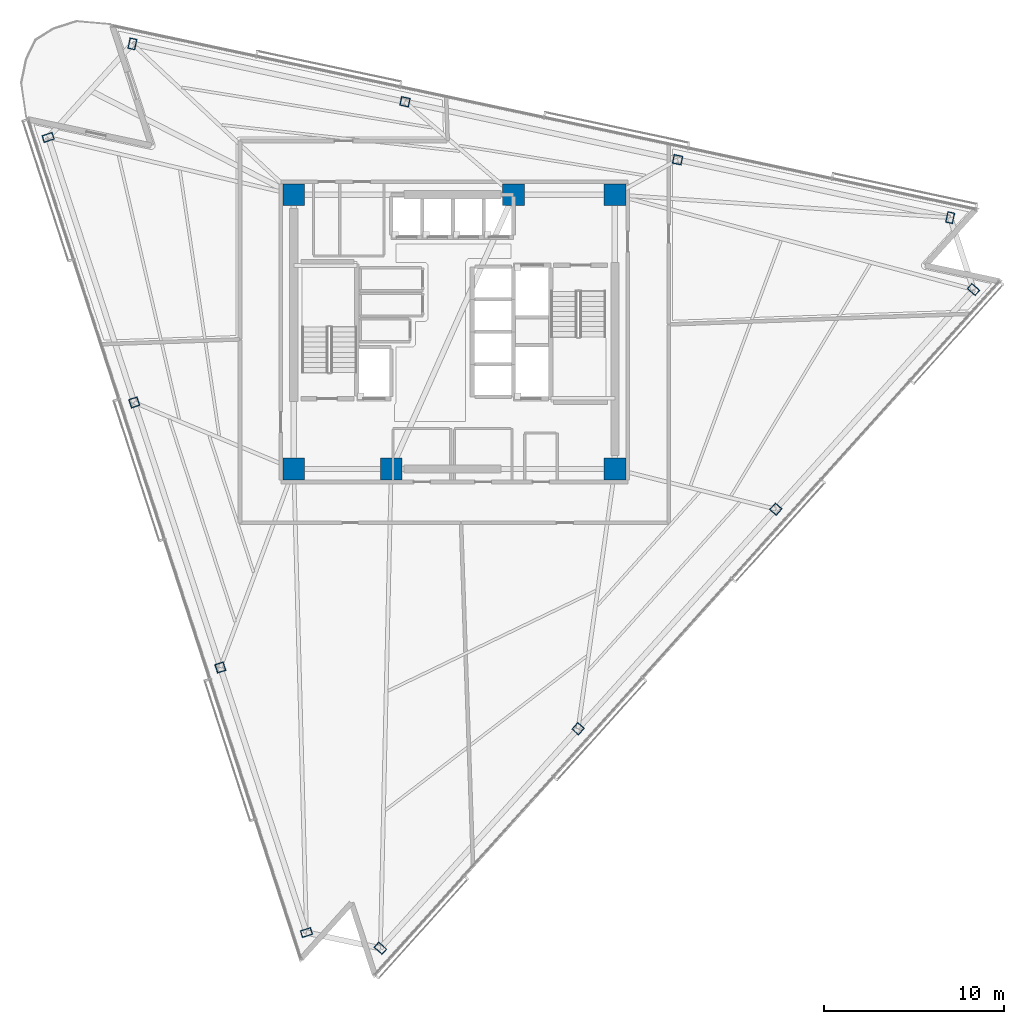
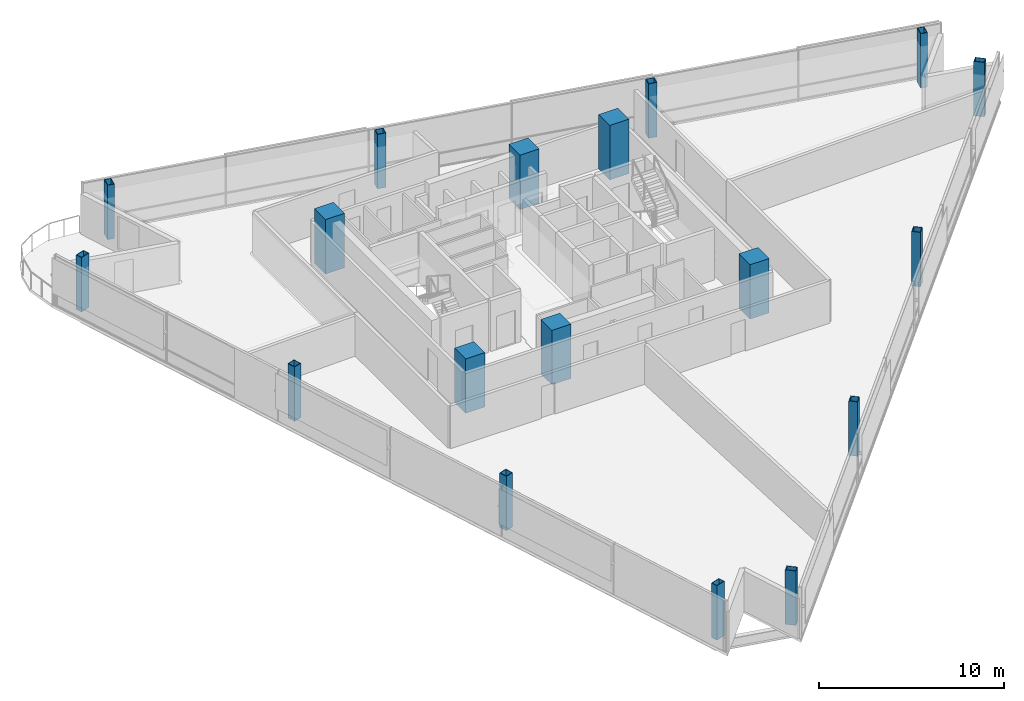
# One storey, part 1 of 17: 18 columns.
"""IFC4 building model written with IfcOpenShell, lengths in metres."""

import ifcopenshell
import ifcopenshell.guid

model = None  # the IFC model being written
_history = None  # IfcOwnerHistory: only IFC2X3 demands one
_inside = {}  # id of a spatial element -> (the spatial element, [elements in it])
_under = {}  # id of a project, library or spatial element -> (it, [spatial elements below it])
_declared = {}  # id of a project -> (the project, [libraries it declares])
_typed = {}  # id of a type object -> (the type object, [elements of that type])
_made_of = {}  # id of a material, layer set ... -> (it, [elements and type objects made of it])


def new_model(schema):
    """Start an empty IFC model of exactly this schema.

    Asked for "IFC4X3", IfcOpenShell would pick the latest addendum, in which some entities
    have other attributes; the version numbers below select the first issue.
    IFC2X3 requires an IfcOwnerHistory on every rooted entity: one is made here for all.
    """
    global model, _history
    if schema == "IFC4X3":
        model = ifcopenshell.file(schema_version=(4, 3, 0, 0))
    else:
        model = ifcopenshell.file(schema=schema)
    _inside.clear()
    _under.clear()
    _declared.clear()
    _typed.clear()
    _made_of.clear()
    _history = None
    if model.schema == "IFC2X3":
        org = make("IfcOrganization", Name="unknown")
        user = make(
            "IfcPersonAndOrganization",
            ThePerson=make("IfcPerson", FamilyName="unknown"),
            TheOrganization=org,
        )
        app = make(
            "IfcApplication",
            ApplicationDeveloper=org,
            Version="unknown",
            ApplicationFullName="unknown",
            ApplicationIdentifier="unknown",
        )
        _history = make(
            "IfcOwnerHistory",
            OwningUser=user,
            OwningApplication=app,
            ChangeAction="ADDED",
            CreationDate=0,
        )
    return model


def make(cls, **values):
    """One entity of the class cls with the attributes given. An attribute that is None is left unset."""
    return model.create_entity(
        cls, **{name: value for name, value in values.items() if value is not None}
    )


def rooted(cls, **values):
    """An entity with a GlobalId (a new one), such as an element, a storey or a relation."""
    return make(cls, GlobalId=ifcopenshell.guid.new(), OwnerHistory=_history, **values)


def si_unit(unit_type, name, prefix=None):
    """IfcSIUnit, for example si_unit("LENGTHUNIT", "METRE", prefix="MILLI")."""
    return make("IfcSIUnit", UnitType=unit_type, Prefix=prefix, Name=name)


def assignment(units):
    """IfcUnitAssignment: the units of a project."""
    return None if units is None else make("IfcUnitAssignment", Units=units)


def point(xyz):
    """IfcCartesianPoint."""
    return None if xyz is None else make("IfcCartesianPoint", Coordinates=xyz)


def direction(xyz):
    """IfcDirection."""
    return None if xyz is None else make("IfcDirection", DirectionRatios=xyz)


def frame(location, z_axis=None, x_axis=None):
    """IfcAxis2Placement3D, a coordinate frame: its origin and axes. An axis left out is left unset."""
    return make(
        "IfcAxis2Placement3D",
        Location=point(location),
        Axis=direction(z_axis),
        RefDirection=direction(x_axis),
    )


def frame_2d(location, x_axis=None):
    """IfcAxis2Placement2D, a coordinate frame in the plane: its origin and x axis."""
    return make(
        "IfcAxis2Placement2D", Location=point(location), RefDirection=direction(x_axis)
    )


def origin():
    """The frame at (0, 0, 0) with its axes left unset."""
    return frame((0.0, 0.0, 0.0))


def origin_2d():
    """The frame at (0, 0) in the plane with its x axis left unset."""
    return frame_2d((0.0, 0.0))


def place(relative_to, where):
    """IfcLocalPlacement: puts the frame where relative to a parent placement (None: the world)."""
    return make(
        "IfcLocalPlacement", PlacementRelTo=relative_to, RelativePlacement=where
    )


def context(
    kind, dimensions, precision=None, world=None, true_north=None, identifier=None
):
    """IfcGeometricRepresentationContext, for example the 3D "Model" context."""
    return make(
        "IfcGeometricRepresentationContext",
        ContextIdentifier=identifier,
        ContextType=kind,
        CoordinateSpaceDimension=dimensions,
        Precision=precision,
        WorldCoordinateSystem=world,
        TrueNorth=true_north,
    )


def subcontext(parent, identifier, kind, view, scale=None):
    """IfcGeometricRepresentationSubContext, for example "Body" below "Model"."""
    return make(
        "IfcGeometricRepresentationSubContext",
        ContextIdentifier=identifier,
        ContextType=kind,
        ParentContext=parent,
        TargetScale=scale,
        TargetView=view,
    )


def project(units=None, contexts=None):
    """IfcProject with its units and contexts."""
    return rooted(
        "IfcProject",
        Name="project",
        RepresentationContexts=contexts,
        UnitsInContext=assignment(units),
    )


def spatial(cls, under=None, at=None, **own):
    """A site, building, storey or space (cls), placed at a placement, below another one or the project."""
    s = rooted(cls, ObjectPlacement=at, **own)
    if under is not None:
        _under.setdefault(under.id(), (under, []))[1].append(s)
    return s


def profile(cls, at=None, kind="AREA", **sizes):
    """A parametric profile (cls). Its sizes go by their IFC names, for example OverallWidth=200.0."""
    return make(cls, ProfileType=kind, Position=at, **sizes)


def rectangle(**sizes):
    """IfcRectangleProfileDef."""
    return profile("IfcRectangleProfileDef", **sizes)


def hollow_rectangle(**sizes):
    """IfcRectangleHollowProfileDef."""
    return profile("IfcRectangleHollowProfileDef", **sizes)


def extrude(swept, where, along, depth):
    """IfcExtrudedAreaSolid: the profile swept, set in the frame where, extruded along a direction by depth."""
    return make(
        "IfcExtrudedAreaSolid",
        SweptArea=swept,
        Position=where,
        ExtrudedDirection=direction(along),
        Depth=depth,
    )


def shape(context_of_items, identifier, shape_type, items):
    """IfcShapeRepresentation: the items that make up one representation, for example the "Body"."""
    return make(
        "IfcShapeRepresentation",
        ContextOfItems=context_of_items,
        RepresentationIdentifier=identifier,
        RepresentationType=shape_type,
        Items=items,
    )


def material(Name=None, Category=None):
    """IfcMaterial."""
    return make("IfcMaterial", Name=Name, Category=Category)


def material_profile(
    of_material, cross_section, Name=None, Category=None, Priority=None
):
    """IfcMaterialProfile: a cross section and its material."""
    return make(
        "IfcMaterialProfile",
        Name=Name,
        Material=of_material,
        Profile=cross_section,
        Priority=Priority,
        Category=Category,
    )


def profile_set(profiles, Name=None, composite=None):
    """IfcMaterialProfileSet."""
    return make(
        "IfcMaterialProfileSet",
        Name=Name,
        MaterialProfiles=profiles,
        CompositeProfile=composite,
    )


def made_of(thing, what):
    """Note that an element or type object is made of a material, layer set ...; save() writes the relation."""
    if what is not None:
        _made_of.setdefault(what.id(), (what, []))[1].append(thing)
    return thing


def type_object(cls, material=None, **own):
    """A type object (cls), such as IfcWallType, which elements share."""
    return made_of(rooted(cls, **own), material)


def element(
    cls,
    number,
    at=None,
    inside=None,
    cuts=None,
    type_object=None,
    material=None,
    context=None,
    identifier="Body",
    shape_type=None,
    held_by="IfcProductDefinitionShape",
    body=None,
    shapes=None,
    **own,
):
    """One element of the class cls, such as IfcWall. Its Tag is "e" and its number.

    at: its placement. inside: the storey or other place that contains it. cuts: it is an
    opening in that element (IfcRelVoidsElement). A single representation is given by context,
    identifier, shape_type and body (its items); several are given by shapes. held_by: the class
    of the entity that holds the representations. save() writes the other relations.
    """
    e = rooted(cls, Tag="e%d" % number, ObjectPlacement=at, **own)
    if body is not None:
        shapes = [shape(context, identifier, shape_type, body)]
    if shapes is not None:
        e.Representation = make(held_by, Representations=shapes)
    if inside is not None:
        _inside.setdefault(inside.id(), (inside, []))[1].append(e)
    if cuts is not None:
        rooted(
            "IfcRelVoidsElement", RelatingBuildingElement=cuts, RelatedOpeningElement=e
        )
    if type_object is not None:
        _typed.setdefault(type_object.id(), (type_object, []))[1].append(e)
    return made_of(e, material)


def aggregate(whole, parts):
    """IfcRelAggregates: a whole, such as a stair, and the parts it consists of."""
    return rooted("IfcRelAggregates", RelatingObject=whole, RelatedObjects=parts)


def save(model, path):
    """Write the relations noted so far, then the file.

    IfcRelAggregates (storeys below a building ...), IfcRelContainedInSpatialStructure (elements
    in a storey), IfcRelDefinesByType, IfcRelAssociatesMaterial and IfcRelDeclares: one each for
    every whole, place, type object, material and project.
    """
    for whole, parts in _under.values():
        aggregate(whole, parts)
    for where, things in _inside.values():
        rooted(
            "IfcRelContainedInSpatialStructure",
            RelatedElements=things,
            RelatingStructure=where,
        )
    for kind, things in _typed.values():
        rooted("IfcRelDefinesByType", RelatedObjects=things, RelatingType=kind)
    for what, things in _made_of.values():
        rooted("IfcRelAssociatesMaterial", RelatedObjects=things, RelatingMaterial=what)
    for by, libraries in _declared.values():
        rooted("IfcRelDeclares", RelatingContext=by, RelatedDefinitions=libraries)
    model.write(path)


model = new_model("IFC4")

# Units and contexts
model_context = context("Model", 3, precision=1e-05, world=origin(), true_north=direction((0.0, 1.0)))
body_context = subcontext(model_context, "Body", "Model", "MODEL_VIEW")
ifc_project = project(units=[si_unit("LENGTHUNIT", "METRE"), si_unit("AREAUNIT", "SQUARE_METRE"), si_unit("VOLUMEUNIT", "CUBIC_METRE"), si_unit("PLANEANGLEUNIT", "RADIAN"), si_unit("MASSUNIT", "GRAM", prefix="KILO")], contexts=[model_context])

# Site, building, storey
site_placement = place(None, origin())
site = spatial("IfcSite", under=ifc_project, at=site_placement, CompositionType="ELEMENT")
building_placement = place(site_placement, origin())
building = spatial("IfcBuilding", under=site, at=building_placement, Name="Tharavind Bronze Gate", CompositionType="ELEMENT")
storey_placement = place(building_placement, frame((0.0, 0.0, 218.449951171875)))
storey = spatial("IfcBuildingStorey", under=building, at=storey_placement, Name="L56", CompositionType="ELEMENT", Elevation=218.449951171875)

# Columns
ifc_material_1 = material(Name="Steel S460", Category="steel")
ifc_material_profile_1 = material_profile(ifc_material_1, hollow_rectangle(XDim=0.39990234375, YDim=0.60009765625, WallThickness=0.030029296875, at=origin_2d()), Name="RHS600X400X30")
ifc_profile_set_1 = profile_set([ifc_material_profile_1], Name="Steel S460")
column_type_1 = type_object("IfcColumnType", Name="CORNER NOTCH COLUMN RHS600X400", PredefinedType="COLUMN", material=ifc_profile_set_1)
for number, where, z_axis, x_axis, name in (
    (1, (-22.515380859375, 10.77685546875, 0.0), (0.0, 0.0, 1.0), (-0.309016994375, 0.951056516295, 0.0), "L56 perimeter column S1C1"),
    (2, (-8.197021484375, -33.29150390625, 0.0), (0.0, 0.0, 1.0), (-0.309016994375, 0.951056516295, 0.0), "L56 perimeter column S1C4"),
    (3, (-4.100341796875, -34.162353515625, 0.0), (0.0, 0.0, 1.0), (0.669130606359, 0.743144825477, 0.0), "L56 perimeter column S2C1"),
    (4, (28.772705078125, 2.34716796875, 0.0), (0.0, 0.0, 1.0), (0.669130606359, 0.743144825477, 0.0), "L56 perimeter column S2C4"),
    (5, (27.478515625, 6.330078125, 0.0), (0.0, 0.0, 1.0), (-0.978147600734, 0.207911690818, 0.0), "L56 perimeter column S3C1"),
    (6, (-17.844970703125, 15.9638671875, 0.0), (0.0, 0.0, 1.0), (-0.978147600734, 0.207911690818, 0.0), "L56 perimeter column S3C4"),
):
    element("IfcColumn", number, at=place(storey_placement, frame(where, z_axis=z_axis, x_axis=x_axis)), inside=storey, type_object=column_type_1, Name=name, PredefinedType="COLUMN", context=body_context, shape_type="SweptSolid", body=[
        extrude(hollow_rectangle(XDim=0.39990234375, YDim=0.60009765625, WallThickness=0.030029296875, at=origin_2d()), origin(), (0.0, 0.0, 1.0), 3.60009765625),
    ])
ifc_material_2 = material(Name="Concrete C60/75", Category="concrete")
ifc_material_profile_2 = material_profile(ifc_material_2, rectangle(XDim=1.199951171875, YDim=1.199951171875, at=origin_2d()), Name="RCCOL1200")
ifc_profile_set_2 = profile_set([ifc_material_profile_2], Name="Concrete C60/75")
column_type_2 = type_object("IfcColumnType", Name="MEGA CORE COLUMN 1200", PredefinedType="COLUMN", material=ifc_profile_set_2)
for number, where, z_axis, x_axis, name in (
    (7, (-8.89990234375, -7.60009765625, 0.0), (0.0, 0.0, 1.0), (1.0, 0.0, 0.0), "L56 core mega column MC1"),
    (8, (-3.5, -7.60009765625, 0.0), (0.0, 0.0, 1.0), (1.0, 0.0, 0.0), "L56 core mega column MC2"),
    (9, (8.89990234375, -7.60009765625, 0.0), (0.0, 0.0, 1.0), (1.0, 0.0, 0.0), "L56 core mega column MC3"),
    (10, (8.89990234375, 7.60009765625, 0.0), (0.0, 0.0, 1.0), (1.0, 0.0, 0.0), "L56 core mega column MC4"),
    (11, (3.280029296875, 7.60009765625, 0.0), (0.0, 0.0, 1.0), (1.0, 0.0, 0.0), "L56 core mega column MC5"),
    (12, (-8.89990234375, 7.60009765625, 0.0), (0.0, 0.0, 1.0), (1.0, 0.0, 0.0), "L56 core mega column MC6"),
):
    element("IfcColumn", number, at=place(storey_placement, frame(where, z_axis=z_axis, x_axis=x_axis)), inside=storey, type_object=column_type_2, Name=name, PredefinedType="COLUMN", context=body_context, shape_type="SweptSolid", body=[
        extrude(rectangle(XDim=1.199951171875, YDim=1.199951171875, at=origin_2d()), origin(), (0.0, 0.0, 1.0), 3.60009765625),
    ])
ifc_material_profile_3 = material_profile(ifc_material_1, hollow_rectangle(XDim=0.5, YDim=0.5, WallThickness=0.031982421875, at=origin_2d()), Name="SHS500X32")
ifc_profile_set_3 = profile_set([ifc_material_profile_3], Name="Steel S460")
column_type_3 = type_object("IfcColumnType", Name="PERIMETER BOX COLUMN SHS500", PredefinedType="COLUMN", material=ifc_profile_set_3)
for number, where, z_axis, x_axis, name in (
    (13, (-17.74267578125, -3.91259765625, 0.0), (0.0, 0.0, 1.0), (-0.309016994375, 0.951056516295, 0.0), "L56 perimeter column S1C2"),
    (14, (-12.9697265625, -18.60205078125, 0.0), (0.0, 0.0, 1.0), (-0.309016994375, 0.951056516295, 0.0), "L56 perimeter column S1C3"),
    (15, (6.857421875, -21.992431640625, 0.0), (0.0, 0.0, 1.0), (0.669130606359, 0.743144825477, 0.0), "L56 perimeter column S2C2"),
    (16, (17.815185546875, -9.82275390625, 0.0), (0.0, 0.0, 1.0), (0.669130606359, 0.743144825477, 0.0), "L56 perimeter column S2C3"),
    (17, (12.370849609375, 9.54150390625, 0.0), (0.0, 0.0, 1.0), (-0.978147600734, 0.207911690818, 0.0), "L56 perimeter column S3C2"),
    (18, (-2.737060546875, 12.752685546875, 0.0), (0.0, 0.0, 1.0), (-0.978147600734, 0.207911690818, 0.0), "L56 perimeter column S3C3"),
):
    element("IfcColumn", number, at=place(storey_placement, frame(where, z_axis=z_axis, x_axis=x_axis)), inside=storey, type_object=column_type_3, Name=name, PredefinedType="COLUMN", context=body_context, shape_type="SweptSolid", body=[
        extrude(hollow_rectangle(XDim=0.5, YDim=0.5, WallThickness=0.031982421875, at=origin_2d()), origin(), (0.0, 0.0, 1.0), 3.60009765625),
    ])

save(model, "model.ifc")
